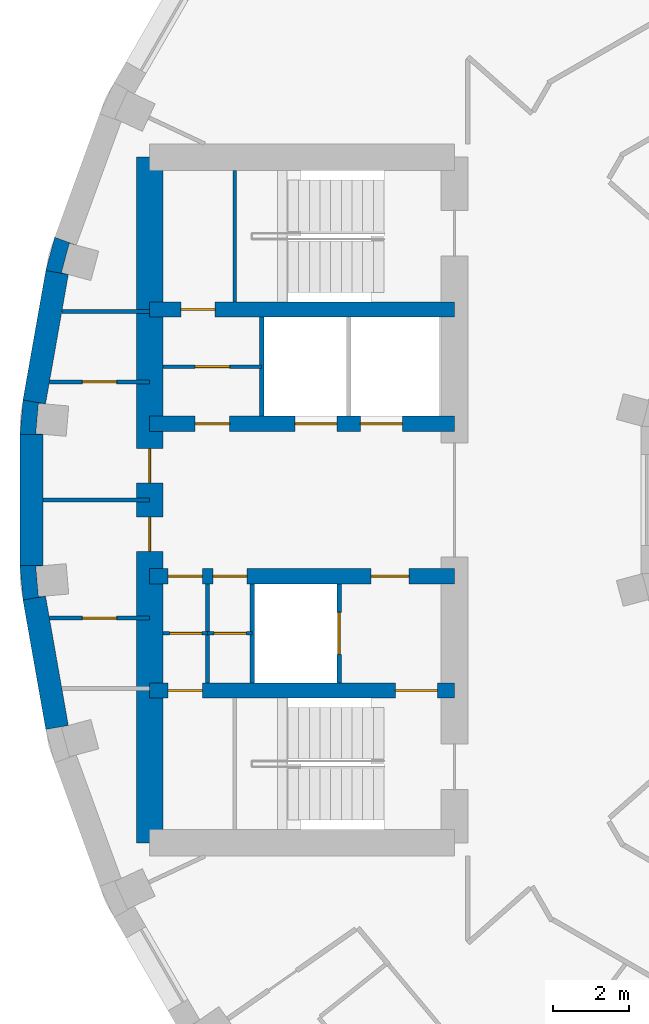
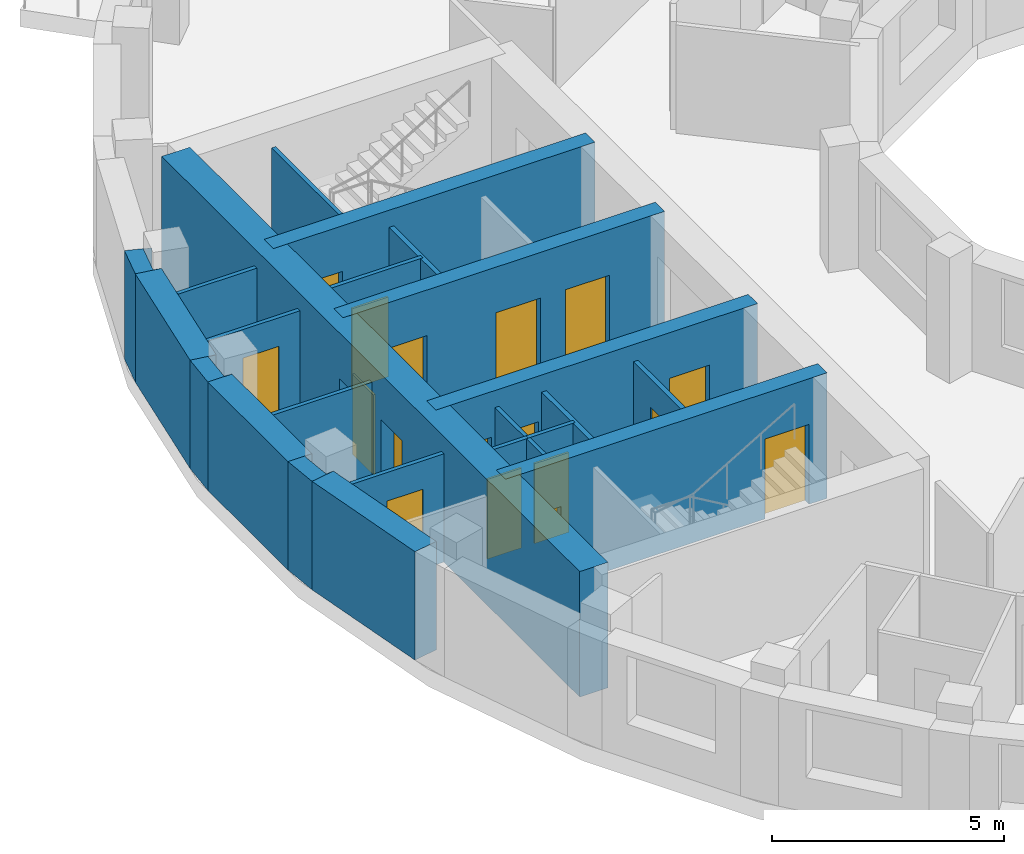
# One storey, part 6 of 14: 23 walls, 17 doors, 17 openings.
"""IFC4 building model written with IfcOpenShell, lengths in metres."""

from ifc_helpers import new_model, si_unit, direction, frame, frame_2d, origin, place, context, subcontext, project, spatial, polyline, rectangle, outline, extrude, material, layer, layer_set, type_object, element, fill, save


model = new_model("IFC4")

# Units and contexts
model_context = context("Model", 3, precision=1e-05, world=origin(), true_north=direction((0.0, 1.0)))
body_context = subcontext(model_context, "Body", "Model", "MODEL_VIEW")
ifc_project = project(units=[si_unit("LENGTHUNIT", "METRE"), si_unit("AREAUNIT", "SQUARE_METRE"), si_unit("VOLUMEUNIT", "CUBIC_METRE"), si_unit("PLANEANGLEUNIT", "RADIAN"), si_unit("MASSUNIT", "GRAM", prefix="KILO")], contexts=[model_context])

# Site, building, storey
site_placement = place(None, origin())
site = spatial("IfcSite", under=ifc_project, at=site_placement, CompositionType="ELEMENT")
building_placement = place(site_placement, origin())
building = spatial("IfcBuilding", under=site, at=building_placement, Name="Saqina Gate Tower", CompositionType="ELEMENT")
storey_placement = place(building_placement, frame((0.0, 0.0, 210.300048828125)))
storey = spatial("IfcBuildingStorey", under=building, at=storey_placement, Name="L60", CompositionType="ELEMENT", Elevation=210.300048828125)

# Walls
ifc_material_1 = material(Name="Brick masonry (buff)", Category="masonry")
wall_type_1 = type_object("IfcWallType", Name="BRICK PIER COPING BUFF", PredefinedType="SOLIDWALL", material=ifc_material_1)
wall_1_placement = place(storey_placement, origin())
element("IfcWall", 1, at=wall_1_placement, inside=storey, type_object=wall_type_1, Name="Pier cap L60 column 17", PredefinedType="SOLIDWALL", context=body_context, shape_type="SweptSolid", body=[
    extrude(outline(polyline([(-24.22705078125, 6.0234375), (-23.635986328125, 5.919189453125), (-23.81689453125, 5.967529296875), (-23.610107421875, 6.740478515625), (-23.428955078125, 6.69189453125), (-23.992919921875, 6.897216796875), (-24.22705078125, 6.0234375)])), origin(), (0.0, 0.0, 1.0), 2.849853515625),
])
wall_2_placement = place(storey_placement, origin())
element("IfcWall", 2, at=wall_2_placement, inside=storey, type_object=wall_type_1, Name="Pier cap L60 column 18", PredefinedType="SOLIDWALL", context=body_context, shape_type="SweptSolid", body=[
    extrude(outline(polyline([(-24.825927734375, 2.6259765625), (-24.90478515625, 1.724853515625), (-24.304931640625, 1.724853515625), (-24.491455078125, 1.7412109375), (-24.421630859375, 2.5380859375), (-24.235107421875, 2.521728515625), (-24.825927734375, 2.6259765625)])), origin(), (0.0, 0.0, 1.0), 2.849853515625),
])
wall_3_placement = place(storey_placement, origin())
element("IfcWall", 3, at=wall_3_placement, inside=storey, type_object=wall_type_1, Name="Pier cap L60 column 19", PredefinedType="SOLIDWALL", context=body_context, shape_type="SweptSolid", body=[
    extrude(outline(polyline([(-24.90478515625, -1.724853515625), (-24.825927734375, -2.6259765625), (-24.235107421875, -2.521728515625), (-24.421630859375, -2.5380859375), (-24.491455078125, -1.7412109375), (-24.304931640625, -1.724853515625), (-24.90478515625, -1.724853515625)])), origin(), (0.0, 0.0, 1.0), 2.849853515625),
])
ifc_material_2 = material(Name="Gypsum board on steel studs", Category="steel")
ifc_layer_1 = layer(ifc_material_2, 0.10009765625)
ifc_layer_set_1 = layer_set([ifc_layer_1], Name="CORE PARTITION")
wall_type_2 = type_object("IfcWallType", Name="CORE PARTITION", PredefinedType="PARTITIONING", material=ifc_layer_set_1)
wall_4_placement = place(storey_placement, frame((-21.5, 4.949951171875, 0.0), z_axis=(0.0, 0.0, 1.0), x_axis=(-1.0, 0.0, 0.0)))
element("IfcWall", 4, at=wall_4_placement, inside=storey, type_object=wall_type_2, Name="L60-CP-W01", PredefinedType="PARTITIONING", context=body_context, shape_type="SweptSolid", body=[
    extrude(rectangle(XDim=2.306884765625, YDim=0.10009765625, at=frame_2d((1.1533203125, 0.0))), origin(), (0.0, 0.0, 1.0), 2.849853515625),
])

# Wall, opening, door
wall_5_placement = place(storey_placement, frame((-21.5, 3.10009765625, 0.0), z_axis=(0.0, 0.0, 1.0), x_axis=(-1.0, 0.0, 0.0)))
wall_5 = element("IfcWall", 5, at=wall_5_placement, inside=storey, type_object=wall_type_2, Name="L60-CP-W02", PredefinedType="PARTITIONING", context=body_context, shape_type="SweptSolid", body=[
    extrude(rectangle(XDim=2.63330078125, YDim=0.10009765625, at=frame_2d((1.316650390625, 0.0))), origin(), (0.0, 0.0, 1.0), 2.849853515625),
])
opening_1_placement = place(wall_5_placement, frame((0.86669921875, 0.0, 0.0)))
opening_1 = element("IfcOpeningElement", 6, at=opening_1_placement, cuts=wall_5, Name="Opening G18-D111", PredefinedType="OPENING", context=body_context, shape_type="SweptSolid", body=[
    extrude(rectangle(XDim=0.89990234375, YDim=2.10009765625, at=frame_2d((0.449951171875, 1.050048828125))), frame((0.0, 0.06201171875, 0.0), z_axis=(0.0, -1.0, 0.0), x_axis=(1.0, 0.0, 0.0)), (0.0, 0.0, 1.0), 0.1240234375),
])
ifc_material_3 = material(Name="Steel-framed fire door leaf, EI 60", Category="steel")
door_type_1 = type_object("IfcDoorType", Name="SERVICE ROOM DOOR 900", OperationType="SINGLE_SWING_LEFT", PredefinedType="DOOR", material=ifc_material_3)
door_1_placement = place(opening_1_placement, origin())
door_1 = element("IfcDoor", 7, at=door_1_placement, inside=storey, type_object=door_type_1, Name="L60-CD-W22", OperationType="SINGLE_SWING_LEFT", OverallHeight=2.10009765625, OverallWidth=0.89990234375, PredefinedType="DOOR", context=body_context, shape_type="SweptSolid", body=[
    extrude(rectangle(XDim=0.89990234375, YDim=2.10009765625, at=frame_2d((0.449951171875, 1.050048828125))), frame((0.0, 0.02490234375, 0.0), z_axis=(0.0, -1.0, 0.0), x_axis=(1.0, 0.0, 0.0)), (0.0, 0.0, 1.0), 0.050048828125),
])
fill(opening_1, door_1)

wall_6_placement = place(storey_placement, frame((-21.5, -3.10009765625, 0.0), z_axis=(0.0, 0.0, 1.0), x_axis=(-1.0, 0.0, 0.0)))
wall_6 = element("IfcWall", 8, at=wall_6_placement, inside=storey, type_object=wall_type_2, Name="L60-CP-W04", PredefinedType="PARTITIONING", context=body_context, shape_type="SweptSolid", body=[
    extrude(rectangle(XDim=2.63330078125, YDim=0.10009765625, at=frame_2d((1.316650390625, 0.0))), origin(), (0.0, 0.0, 1.0), 2.849853515625),
])
opening_2_placement = place(wall_6_placement, frame((0.86669921875, 0.0, 0.0)))
opening_2 = element("IfcOpeningElement", 9, at=opening_2_placement, cuts=wall_6, Name="Opening G18-D113", PredefinedType="OPENING", context=body_context, shape_type="SweptSolid", body=[
    extrude(rectangle(XDim=0.89990234375, YDim=2.10009765625, at=frame_2d((0.449951171875, 1.050048828125))), frame((0.0, 0.06201171875, 0.0), z_axis=(0.0, -1.0, 0.0), x_axis=(1.0, 0.0, 0.0)), (0.0, 0.0, 1.0), 0.1240234375),
])
door_2_placement = place(opening_2_placement, frame((0.89990234375, 0.0, 0.0), z_axis=(0.0, 0.0, 1.0), x_axis=(-1.0, 0.0, 0.0)))
door_2 = element("IfcDoor", 10, at=door_2_placement, inside=storey, type_object=door_type_1, Name="L60-CD-W24", OperationType="SINGLE_SWING_RIGHT", OverallHeight=2.10009765625, OverallWidth=0.89990234375, PredefinedType="DOOR", context=body_context, shape_type="SweptSolid", body=[
    extrude(rectangle(XDim=0.89990234375, YDim=2.10009765625, at=frame_2d((0.449951171875, 1.050048828125))), frame((0.0, 0.02490234375, 0.0), z_axis=(0.0, -1.0, 0.0), x_axis=(1.0, 0.0, 0.0)), (0.0, 0.0, 1.0), 0.050048828125),
])
fill(opening_2, door_2)

# Walls
wall_7_placement = place(storey_placement, frame((-21.5, 0.0, 0.0), z_axis=(0.0, 0.0, 1.0), x_axis=(-1.0, 0.0, 0.0)))
element("IfcWall", 11, at=wall_7_placement, inside=storey, type_object=wall_type_2, Name="L60-CP-W05", PredefinedType="PARTITIONING", context=body_context, shape_type="SweptSolid", body=[
    extrude(rectangle(XDim=2.804931640625, YDim=0.10009765625, at=frame_2d((1.40234375, 0.0))), origin(), (0.0, 0.0, 1.0), 2.849853515625),
])
wall_8_placement = place(storey_placement, frame((-19.97998046875, -4.800048828125, 0.0), z_axis=(0.0, 0.0, 1.0), x_axis=(0.0, 1.0, 0.0)))
element("IfcWall", 12, at=wall_8_placement, inside=storey, type_object=wall_type_2, Name="L60-CP-W10", PredefinedType="PARTITIONING", context=body_context, shape_type="SweptSolid", body=[
    extrude(rectangle(XDim=2.60009765625, YDim=0.10009765625, at=frame_2d((1.300048828125, 0.0))), origin(), (0.0, 0.0, 1.0), 2.849853515625),
])

# Wall, opening, door
wall_9_placement = place(storey_placement, frame((-18.56005859375, 3.5, 0.0), z_axis=(0.0, 0.0, 1.0), x_axis=(-1.0, 0.0, 0.0)))
wall_9 = element("IfcWall", 13, at=wall_9_placement, inside=storey, type_object=wall_type_2, Name="L60-CP-W11", PredefinedType="PARTITIONING", context=body_context, shape_type="SweptSolid", body=[
    extrude(rectangle(XDim=2.58984375, YDim=0.10009765625, at=frame_2d((1.294921875, 0.0))), origin(), (0.0, 0.0, 1.0), 2.849853515625),
])
opening_3_placement = place(wall_9_placement, frame((0.844970703125, 0.0, 0.0)))
opening_3 = element("IfcOpeningElement", 14, at=opening_3_placement, cuts=wall_9, Name="Opening G18-D115", PredefinedType="OPENING", context=body_context, shape_type="SweptSolid", body=[
    extrude(rectangle(XDim=0.89990234375, YDim=2.10009765625, at=frame_2d((0.449951171875, 1.050048828125))), frame((0.0, 0.06201171875, 0.0), z_axis=(0.0, -1.0, 0.0), x_axis=(1.0, 0.0, 0.0)), (0.0, 0.0, 1.0), 0.1240234375),
])
door_3_placement = place(opening_3_placement, frame((0.89990234375, 0.0, 0.0), z_axis=(0.0, 0.0, 1.0), x_axis=(-1.0, 0.0, 0.0)))
door_3 = element("IfcDoor", 15, at=door_3_placement, inside=storey, type_object=door_type_1, Name="L60-CD-W26", OperationType="SINGLE_SWING_LEFT", OverallHeight=2.10009765625, OverallWidth=0.89990234375, PredefinedType="DOOR", context=body_context, shape_type="SweptSolid", body=[
    extrude(rectangle(XDim=0.89990234375, YDim=2.10009765625, at=frame_2d((0.449951171875, 1.050048828125))), frame((0.0, 0.02490234375, 0.0), z_axis=(0.0, -1.0, 0.0), x_axis=(1.0, 0.0, 0.0)), (0.0, 0.0, 1.0), 0.050048828125),
])
fill(opening_3, door_3)

wall_10_placement = place(storey_placement, frame((-18.81005859375, -3.5, 0.0), z_axis=(0.0, 0.0, 1.0), x_axis=(-1.0, 0.0, 0.0)))
wall_10 = element("IfcWall", 16, at=wall_10_placement, inside=storey, type_object=wall_type_2, Name="L60-CP-W12", PredefinedType="PARTITIONING", context=body_context, shape_type="SweptSolid", body=[
    extrude(rectangle(XDim=1.169921875, YDim=0.10009765625, at=frame_2d((0.5849609375, 0.0))), origin(), (0.0, 0.0, 1.0), 2.849853515625),
])
opening_4_placement = place(wall_10_placement, frame((0.14990234375, 0.0, 0.0)))
opening_4 = element("IfcOpeningElement", 17, at=opening_4_placement, cuts=wall_10, Name="Opening G18-D117", PredefinedType="OPENING", context=body_context, shape_type="SweptSolid", body=[
    extrude(rectangle(XDim=0.85009765625, YDim=2.10009765625, at=frame_2d((0.425048828125, 1.050048828125))), frame((0.0, 0.06201171875, 0.0), z_axis=(0.0, -1.0, 0.0), x_axis=(1.0, 0.0, 0.0)), (0.0, 0.0, 1.0), 0.1240234375),
])
ifc_material_4 = material(Name="Steel-framed fire door leaf, EI 60", Category="steel")
door_type_2 = type_object("IfcDoorType", Name="SERVICE ROOM DOOR 850", OperationType="SINGLE_SWING_LEFT", PredefinedType="DOOR", material=ifc_material_4)
door_4_placement = place(opening_4_placement, origin())
door_4 = element("IfcDoor", 18, at=door_4_placement, inside=storey, type_object=door_type_2, Name="L60-CD-W28", OperationType="SINGLE_SWING_LEFT", OverallHeight=2.10009765625, OverallWidth=0.85009765625, PredefinedType="DOOR", context=body_context, shape_type="SweptSolid", body=[
    extrude(rectangle(XDim=0.85009765625, YDim=2.10009765625, at=frame_2d((0.425048828125, 1.050048828125))), frame((0.0, 0.02490234375, 0.0), z_axis=(0.0, -1.0, 0.0), x_axis=(1.0, 0.0, 0.0)), (0.0, 0.0, 1.0), 0.050048828125),
])
fill(opening_4, door_4)

wall_11_placement = place(storey_placement, frame((-19.97998046875, -3.5, 0.0), z_axis=(0.0, 0.0, 1.0), x_axis=(-1.0, 0.0, 0.0)))
wall_11 = element("IfcWall", 19, at=wall_11_placement, inside=storey, type_object=wall_type_2, Name="L60-CP-W13", PredefinedType="PARTITIONING", context=body_context, shape_type="SweptSolid", body=[
    extrude(rectangle(XDim=1.169921875, YDim=0.10009765625, at=frame_2d((0.5849609375, 0.0))), origin(), (0.0, 0.0, 1.0), 2.849853515625),
])
opening_5_placement = place(wall_11_placement, frame((0.14990234375, 0.0, 0.0)))
opening_5 = element("IfcOpeningElement", 20, at=opening_5_placement, cuts=wall_11, Name="Opening G18-D118", PredefinedType="OPENING", context=body_context, shape_type="SweptSolid", body=[
    extrude(rectangle(XDim=0.85009765625, YDim=2.10009765625, at=frame_2d((0.425048828125, 1.050048828125))), frame((0.0, 0.06201171875, 0.0), z_axis=(0.0, -1.0, 0.0), x_axis=(1.0, 0.0, 0.0)), (0.0, 0.0, 1.0), 0.1240234375),
])
door_5_placement = place(opening_5_placement, origin())
door_5 = element("IfcDoor", 21, at=door_5_placement, inside=storey, type_object=door_type_2, Name="L60-CD-W29", OperationType="SINGLE_SWING_RIGHT", OverallHeight=2.10009765625, OverallWidth=0.85009765625, PredefinedType="DOOR", context=body_context, shape_type="SweptSolid", body=[
    extrude(rectangle(XDim=0.85009765625, YDim=2.10009765625, at=frame_2d((0.425048828125, 1.050048828125))), frame((0.0, 0.02490234375, 0.0), z_axis=(0.0, -1.0, 0.0), x_axis=(1.0, 0.0, 0.0)), (0.0, 0.0, 1.0), 0.050048828125),
])
fill(opening_5, door_5)

# Walls
ifc_material_5 = material(Name="Glazed ceramic tile", Category="ceramic")
ifc_layer_2 = layer(ifc_material_5, 0.60009765625)
ifc_layer_set_2 = layer_set([ifc_layer_2], Name="FW-TILE")
wall_type_3 = type_object("IfcWallType", Name="FW-TILE", PredefinedType="SOLIDWALL", material=ifc_layer_set_2)
for number, where, z_axis, x_axis, name in (
    (22, (-23.931640625, 5.97119140625, 0.0), (0.0, 0.0, 1.0), (-0.173607684551, -0.984814892183, 0.0), "Facade wall L60 facet 17"),
    (23, (-24.530517578125, -2.573974609375, 0.0), (0.0, 0.0, 1.0), (0.173607684551, -0.984814892183, 0.0), "Facade wall L60 facet 19"),
):
    element("IfcWall", number, at=place(storey_placement, frame(where, z_axis=z_axis, x_axis=x_axis)), inside=storey, type_object=wall_type_3, Name=name, PredefinedType="SOLIDWALL", context=body_context, shape_type="SweptSolid", body=[
        extrude(rectangle(XDim=3.44970703125, YDim=0.60009765625, at=frame_2d((1.724853515625, 0.0))), origin(), (0.0, 0.0, 1.0), 2.849853515625),
    ])
ifc_material_6 = material(Name="Glazed ceramic tile (dark blue)", Category="ceramic")
ifc_layer_3 = layer(ifc_material_6, 0.60009765625)
ifc_layer_set_3 = layer_set([ifc_layer_3], Name="FW-TILE-CB")
wall_type_4 = type_object("IfcWallType", Name="FW-TILE-CB", PredefinedType="SOLIDWALL", material=ifc_layer_set_3)
wall_12_placement = place(storey_placement, frame((-24.60498046875, 1.724853515625, 0.0), z_axis=(0.0, 0.0, 1.0), x_axis=(0.0, -1.0, 0.0)))
element("IfcWall", 24, at=wall_12_placement, inside=storey, type_object=wall_type_4, Name="Facade wall L60 facet 18", PredefinedType="SOLIDWALL", context=body_context, shape_type="SweptSolid", body=[
    extrude(rectangle(XDim=3.44970703125, YDim=0.60009765625, at=frame_2d((1.724853515625, 0.0))), origin(), (0.0, 0.0, 1.0), 2.849853515625),
])
ifc_material_7 = material(Name="Autoclaved aerated concrete block", Category="concrete")
ifc_layer_4 = layer(ifc_material_7, 0.1201171875)
ifc_layer_set_4 = layer_set([ifc_layer_4], Name="SHAFT PARTITION")
wall_type_5 = type_object("IfcWallType", Name="SHAFT PARTITION", PredefinedType="PARTITIONING", material=ifc_layer_set_4)
wall_13_placement = place(storey_placement, frame((-18.56005859375, 2.199951171875, 0.0), z_axis=(0.0, 0.0, 1.0), x_axis=(0.0, 1.0, 0.0)))
element("IfcWall", 25, at=wall_13_placement, inside=storey, type_object=wall_type_5, Name="L60-CP-W07", PredefinedType="PARTITIONING", context=body_context, shape_type="SweptSolid", body=[
    extrude(rectangle(XDim=2.60009765625, YDim=0.1201171875, at=frame_2d((1.300048828125, 0.0))), origin(), (0.0, 0.0, 1.0), 2.849853515625),
])

# Wall, opening, door
wall_14_placement = place(storey_placement, frame((-16.530029296875, -4.800048828125, 0.0), z_axis=(0.0, 0.0, 1.0), x_axis=(0.0, 1.0, 0.0)))
wall_14 = element("IfcWall", 26, at=wall_14_placement, inside=storey, type_object=wall_type_5, Name="L60-CP-W08", PredefinedType="PARTITIONING", context=body_context, shape_type="SweptSolid", body=[
    extrude(rectangle(XDim=2.60009765625, YDim=0.1201171875, at=frame_2d((1.300048828125, 0.0))), origin(), (0.0, 0.0, 1.0), 2.849853515625),
])
opening_6_placement = place(wall_14_placement, frame((0.75, 0.0, 0.0)))
opening_6 = element("IfcOpeningElement", 27, at=opening_6_placement, cuts=wall_14, Name="Opening G18-LD6", PredefinedType="OPENING", context=body_context, shape_type="SweptSolid", body=[
    extrude(rectangle(XDim=1.10009765625, YDim=2.10009765625, at=frame_2d((0.550048828125, 1.050048828125))), frame((0.0, 0.072021484375, 0.0), z_axis=(0.0, -1.0, 0.0), x_axis=(1.0, 0.0, 0.0)), (0.0, 0.0, 1.0), 0.14404296875),
])
ifc_material_8 = material(Name="Stainless steel", Category="steel")
door_type_3 = type_object("IfcDoorType", Name="LANDING DOOR", OperationType="DOUBLE_DOOR_SLIDING", PredefinedType="DOOR", material=ifc_material_8)
door_6_placement = place(opening_6_placement, origin())
door_6 = element("IfcDoor", 28, at=door_6_placement, inside=storey, type_object=door_type_3, Name="LANDING DOOR FF2", OperationType="DOUBLE_DOOR_SLIDING", OverallHeight=2.10009765625, OverallWidth=1.10009765625, PredefinedType="DOOR", context=body_context, shape_type="SweptSolid", body=[
    extrude(rectangle(XDim=1.10009765625, YDim=2.10009765625, at=frame_2d((0.550048828125, 1.050048828125))), frame((0.0, 0.02490234375, 0.0), z_axis=(0.0, -1.0, 0.0), x_axis=(1.0, 0.0, 0.0)), (0.0, 0.0, 1.0), 0.050048828125),
])
fill(opening_6, door_6)

# Walls
wall_15_placement = place(storey_placement, frame((-18.81005859375, -4.800048828125, 0.0), z_axis=(0.0, 0.0, 1.0), x_axis=(0.0, 1.0, 0.0)))
element("IfcWall", 29, at=wall_15_placement, inside=storey, type_object=wall_type_5, Name="L60-CP-W09", PredefinedType="PARTITIONING", context=body_context, shape_type="SweptSolid", body=[
    extrude(rectangle(XDim=2.60009765625, YDim=0.1201171875, at=frame_2d((1.300048828125, 0.0))), origin(), (0.0, 0.0, 1.0), 2.849853515625),
])
ifc_material_9 = material(Name="Autoclaved aerated concrete block", Category="concrete")
ifc_layer_5 = layer(ifc_material_9, 0.10009765625)
ifc_layer_set_5 = layer_set([ifc_layer_5], Name="STAIR ENCLOSURE WALL")
wall_type_6 = type_object("IfcWallType", Name="STAIR ENCLOSURE WALL", PredefinedType="PARTITIONING", material=ifc_layer_set_5)
wall_16_placement = place(storey_placement, frame((-19.27001953125, 5.199951171875, 0.0), z_axis=(0.0, 0.0, 1.0), x_axis=(0.0, 1.0, 0.0)))
element("IfcWall", 30, at=wall_16_placement, inside=storey, type_object=wall_type_6, Name="L60-CP-W14", PredefinedType="PARTITIONING", context=body_context, shape_type="SweptSolid", body=[
    extrude(rectangle(XDim=3.449951171875, YDim=0.10009765625, at=frame_2d((1.72509765625, 0.0))), origin(), (0.0, 0.0, 1.0), 2.849853515625),
])

# Wall, opening, door
ifc_material_10 = material(Name="Concrete C60/75", Category="concrete")
ifc_layer_6 = layer(ifc_material_10, 0.39990234375)
ifc_layer_set_6 = layer_set([ifc_layer_6], Name="Concrete C60/75")
wall_type_7 = type_object("IfcWallType", Name="STR-CORE WALL-C-I", PredefinedType="SHEAR", material=ifc_layer_set_6)
wall_17_placement = place(storey_placement, frame((-13.5, 5.0, 0.0), z_axis=(0.0, 0.0, 1.0), x_axis=(-1.0, 0.0, 0.0)))
wall_17 = element("IfcWall", 31, at=wall_17_placement, inside=storey, type_object=wall_type_7, Name="CORE WALL L60 W-X1", PredefinedType="SHEAR", context=body_context, shape_type="SweptSolid", body=[
    extrude(rectangle(XDim=8.0, YDim=0.39990234375, at=frame_2d((4.0, 0.0))), origin(), (0.0, 0.0, 1.0), 3.300048828125),
])
opening_7_placement = place(wall_17_placement, frame((6.284912109375, 0.0, 0.0)))
opening_7 = element("IfcOpeningElement", 32, at=opening_7_placement, cuts=wall_17, Name="Opening G18-D116", PredefinedType="OPENING", context=body_context, shape_type="SweptSolid", body=[
    extrude(rectangle(XDim=0.89990234375, YDim=2.10009765625, at=frame_2d((0.449951171875, 1.050048828125))), frame((0.0, 0.2119140625, 0.0), z_axis=(0.0, -1.0, 0.0), x_axis=(1.0, 0.0, 0.0)), (0.0, 0.0, 1.0), 0.423828125),
])
door_7_placement = place(opening_7_placement, frame((0.89990234375, 0.0, 0.0), z_axis=(0.0, 0.0, 1.0), x_axis=(-1.0, 0.0, 0.0)))
door_7 = element("IfcDoor", 33, at=door_7_placement, inside=storey, type_object=door_type_1, Name="L60-CD-W27", OperationType="SINGLE_SWING_LEFT", OverallHeight=2.10009765625, OverallWidth=0.89990234375, PredefinedType="DOOR", context=body_context, shape_type="SweptSolid", body=[
    extrude(rectangle(XDim=0.89990234375, YDim=2.10009765625, at=frame_2d((0.449951171875, 1.050048828125))), frame((0.0, 0.02490234375, 0.0), z_axis=(0.0, -1.0, 0.0), x_axis=(1.0, 0.0, 0.0)), (0.0, 0.0, 1.0), 0.050048828125),
])
fill(opening_7, door_7)

# Wall, openings, doors
wall_18_placement = place(storey_placement, frame((-13.5, -5.0, 0.0), z_axis=(0.0, 0.0, 1.0), x_axis=(-1.0, 0.0, 0.0)))
wall_18 = element("IfcWall", 34, at=wall_18_placement, inside=storey, type_object=wall_type_7, Name="CORE WALL L60 W-X2", PredefinedType="SHEAR", context=body_context, shape_type="SweptSolid", body=[
    extrude(rectangle(XDim=8.0, YDim=0.39990234375, at=frame_2d((4.0, 0.0))), origin(), (0.0, 0.0, 1.0), 3.300048828125),
])
opening_8_placement = place(wall_18_placement, frame((6.614990234375, 0.0, 0.0)))
opening_8 = element("IfcOpeningElement", 35, at=opening_8_placement, cuts=wall_18, Name="Opening G18-D119", PredefinedType="OPENING", context=body_context, shape_type="SweptSolid", body=[
    extrude(rectangle(XDim=0.89990234375, YDim=2.10009765625, at=frame_2d((0.449951171875, 1.050048828125))), frame((0.0, 0.2119140625, 0.0), z_axis=(0.0, -1.0, 0.0), x_axis=(1.0, 0.0, 0.0)), (0.0, 0.0, 1.0), 0.423828125),
])
opening_9_placement = place(wall_18_placement, frame((0.449951171875, 0.0, 0.0)))
opening_9 = element("IfcOpeningElement", 36, at=opening_9_placement, cuts=wall_18, Name="Opening G18-D120", PredefinedType="OPENING", context=body_context, shape_type="SweptSolid", body=[
    extrude(rectangle(XDim=1.10009765625, YDim=2.10009765625, at=frame_2d((0.550048828125, 1.050048828125))), frame((0.0, 0.2119140625, 0.0), z_axis=(0.0, -1.0, 0.0), x_axis=(1.0, 0.0, 0.0)), (0.0, 0.0, 1.0), 0.423828125),
])
ifc_material_11 = material(Name="Steel", Category="steel")
door_type_4 = type_object("IfcDoorType", Name="FIRE LOBBY DOOR EI 60 WIDE", OperationType="SINGLE_SWING_LEFT", PredefinedType="DOOR", material=ifc_material_11)
door_8_placement = place(opening_9_placement, origin())
door_8 = element("IfcDoor", 37, at=door_8_placement, inside=storey, type_object=door_type_4, Name="L60-CD-W31", OperationType="SINGLE_SWING_LEFT", OverallHeight=2.10009765625, OverallWidth=1.10009765625, PredefinedType="DOOR", context=body_context, shape_type="SweptSolid", body=[
    extrude(rectangle(XDim=1.10009765625, YDim=2.10009765625, at=frame_2d((0.550048828125, 1.050048828125))), frame((0.0, 0.02490234375, 0.0), z_axis=(0.0, -1.0, 0.0), x_axis=(1.0, 0.0, 0.0)), (0.0, 0.0, 1.0), 0.050048828125),
])
fill(opening_9, door_8)
door_9_placement = place(opening_8_placement, origin())
door_9 = element("IfcDoor", 38, at=door_9_placement, inside=storey, type_object=door_type_1, Name="L60-CD-W30", OperationType="SINGLE_SWING_RIGHT", OverallHeight=2.10009765625, OverallWidth=0.89990234375, PredefinedType="DOOR", context=body_context, shape_type="SweptSolid", body=[
    extrude(rectangle(XDim=0.89990234375, YDim=2.10009765625, at=frame_2d((0.449951171875, 1.050048828125))), frame((0.0, 0.02490234375, 0.0), z_axis=(0.0, -1.0, 0.0), x_axis=(1.0, 0.0, 0.0)), (0.0, 0.0, 1.0), 0.050048828125),
])
fill(opening_8, door_9)

wall_19_placement = place(storey_placement, frame((-13.5, 2.0, 0.0), z_axis=(0.0, 0.0, 1.0), x_axis=(-1.0, 0.0, 0.0)))
wall_19 = element("IfcWall", 39, at=wall_19_placement, inside=storey, type_object=wall_type_7, Name="CORE WALL L60 W-L1", PredefinedType="SHEAR", context=body_context, shape_type="SweptSolid", body=[
    extrude(rectangle(XDim=8.0, YDim=0.39990234375, at=frame_2d((4.0, 0.0))), origin(), (0.0, 0.0, 1.0), 3.300048828125),
])
opening_10_placement = place(wall_19_placement, frame((1.3701171875, 0.0, 0.0)))
opening_10 = element("IfcOpeningElement", 40, at=opening_10_placement, cuts=wall_19, Name="Opening G18-LD4", PredefinedType="OPENING", context=body_context, shape_type="SweptSolid", body=[
    extrude(rectangle(XDim=1.10009765625, YDim=2.10009765625, at=frame_2d((0.550048828125, 1.050048828125))), frame((0.0, 0.2119140625, 0.0), z_axis=(0.0, -1.0, 0.0), x_axis=(1.0, 0.0, 0.0)), (0.0, 0.0, 1.0), 0.423828125),
])
opening_11_placement = place(wall_19_placement, frame((3.090087890625, 0.0, 0.0)))
opening_11 = element("IfcOpeningElement", 41, at=opening_11_placement, cuts=wall_19, Name="Opening G18-LD5", PredefinedType="OPENING", context=body_context, shape_type="SweptSolid", body=[
    extrude(rectangle(XDim=1.10009765625, YDim=2.10009765625, at=frame_2d((0.550048828125, 1.050048828125))), frame((0.0, 0.2119140625, 0.0), z_axis=(0.0, -1.0, 0.0), x_axis=(1.0, 0.0, 0.0)), (0.0, 0.0, 1.0), 0.423828125),
])
opening_12_placement = place(wall_19_placement, frame((5.905029296875, 0.0, 0.0)))
opening_12 = element("IfcOpeningElement", 42, at=opening_12_placement, cuts=wall_19, Name="Opening G18-D107", PredefinedType="OPENING", context=body_context, shape_type="SweptSolid", body=[
    extrude(rectangle(XDim=0.89990234375, YDim=2.10009765625, at=frame_2d((0.449951171875, 1.050048828125))), frame((0.0, 0.2119140625, 0.0), z_axis=(0.0, -1.0, 0.0), x_axis=(1.0, 0.0, 0.0)), (0.0, 0.0, 1.0), 0.423828125),
])
door_10_placement = place(opening_10_placement, origin())
door_10 = element("IfcDoor", 43, at=door_10_placement, inside=storey, type_object=door_type_3, Name="LANDING DOOR HR3", OperationType="DOUBLE_DOOR_SLIDING", OverallHeight=2.10009765625, OverallWidth=1.10009765625, PredefinedType="DOOR", context=body_context, shape_type="SweptSolid", body=[
    extrude(rectangle(XDim=1.10009765625, YDim=2.10009765625, at=frame_2d((0.550048828125, 1.050048828125))), frame((0.0, 0.02490234375, 0.0), z_axis=(0.0, -1.0, 0.0), x_axis=(1.0, 0.0, 0.0)), (0.0, 0.0, 1.0), 0.050048828125),
])
fill(opening_10, door_10)
door_11_placement = place(opening_11_placement, origin())
door_11 = element("IfcDoor", 44, at=door_11_placement, inside=storey, type_object=door_type_3, Name="LANDING DOOR HR4", OperationType="DOUBLE_DOOR_SLIDING", OverallHeight=2.10009765625, OverallWidth=1.10009765625, PredefinedType="DOOR", context=body_context, shape_type="SweptSolid", body=[
    extrude(rectangle(XDim=1.10009765625, YDim=2.10009765625, at=frame_2d((0.550048828125, 1.050048828125))), frame((0.0, 0.02490234375, 0.0), z_axis=(0.0, -1.0, 0.0), x_axis=(1.0, 0.0, 0.0)), (0.0, 0.0, 1.0), 0.050048828125),
])
fill(opening_11, door_11)
door_12_placement = place(opening_12_placement, frame((0.89990234375, 0.0, 0.0), z_axis=(0.0, 0.0, 1.0), x_axis=(-1.0, 0.0, 0.0)))
door_12 = element("IfcDoor", 45, at=door_12_placement, inside=storey, type_object=door_type_1, Name="L60-CD-W18", OperationType="SINGLE_SWING_LEFT", OverallHeight=2.10009765625, OverallWidth=0.89990234375, PredefinedType="DOOR", context=body_context, shape_type="SweptSolid", body=[
    extrude(rectangle(XDim=0.89990234375, YDim=2.10009765625, at=frame_2d((0.449951171875, 1.050048828125))), frame((0.0, 0.02490234375, 0.0), z_axis=(0.0, -1.0, 0.0), x_axis=(1.0, 0.0, 0.0)), (0.0, 0.0, 1.0), 0.050048828125),
])
fill(opening_12, door_12)

wall_20_placement = place(storey_placement, frame((-13.5, -2.0, 0.0), z_axis=(0.0, 0.0, 1.0), x_axis=(-1.0, 0.0, 0.0)))
wall_20 = element("IfcWall", 46, at=wall_20_placement, inside=storey, type_object=wall_type_7, Name="CORE WALL L60 W-L2", PredefinedType="SHEAR", context=body_context, shape_type="SweptSolid", body=[
    extrude(rectangle(XDim=8.0, YDim=0.39990234375, at=frame_2d((4.0, 0.0))), origin(), (0.0, 0.0, 1.0), 3.300048828125),
])
opening_13_placement = place(wall_20_placement, frame((1.18994140625, 0.0, 0.0)))
opening_13 = element("IfcOpeningElement", 47, at=opening_13_placement, cuts=wall_20, Name="Opening G18-D108", PredefinedType="OPENING", context=body_context, shape_type="SweptSolid", body=[
    extrude(rectangle(XDim=1.0, YDim=2.10009765625, at=frame_2d((0.5, 1.050048828125))), frame((0.0, 0.2119140625, 0.0), z_axis=(0.0, -1.0, 0.0), x_axis=(1.0, 0.0, 0.0)), (0.0, 0.0, 1.0), 0.423828125),
])
opening_14_placement = place(wall_20_placement, frame((5.445068359375, 0.0, 0.0)))
opening_14 = element("IfcOpeningElement", 48, at=opening_14_placement, cuts=wall_20, Name="Opening G18-D109", PredefinedType="OPENING", context=body_context, shape_type="SweptSolid", body=[
    extrude(rectangle(XDim=0.89990234375, YDim=2.10009765625, at=frame_2d((0.449951171875, 1.050048828125))), frame((0.0, 0.2119140625, 0.0), z_axis=(0.0, -1.0, 0.0), x_axis=(1.0, 0.0, 0.0)), (0.0, 0.0, 1.0), 0.423828125),
])
opening_15_placement = place(wall_20_placement, frame((6.614990234375, 0.0, 0.0)))
opening_15 = element("IfcOpeningElement", 49, at=opening_15_placement, cuts=wall_20, Name="Opening G18-D110", PredefinedType="OPENING", context=body_context, shape_type="SweptSolid", body=[
    extrude(rectangle(XDim=0.89990234375, YDim=2.10009765625, at=frame_2d((0.449951171875, 1.050048828125))), frame((0.0, 0.2119140625, 0.0), z_axis=(0.0, -1.0, 0.0), x_axis=(1.0, 0.0, 0.0)), (0.0, 0.0, 1.0), 0.423828125),
])
ifc_material_12 = material(Name="Steel", Category="steel")
door_type_5 = type_object("IfcDoorType", Name="FIRE LOBBY DOOR EI 60", OperationType="SINGLE_SWING_LEFT", PredefinedType="DOOR", material=ifc_material_12)
door_13_placement = place(opening_13_placement, frame((1.0, 0.0, 0.0), z_axis=(0.0, 0.0, 1.0), x_axis=(-1.0, 0.0, 0.0)))
door_13 = element("IfcDoor", 50, at=door_13_placement, inside=storey, type_object=door_type_5, Name="L60-CD-W19", OperationType="SINGLE_SWING_RIGHT", OverallHeight=2.10009765625, OverallWidth=1.0, PredefinedType="DOOR", context=body_context, shape_type="SweptSolid", body=[
    extrude(rectangle(XDim=1.0, YDim=2.10009765625, at=frame_2d((0.5, 1.050048828125))), frame((0.0, 0.02490234375, 0.0), z_axis=(0.0, -1.0, 0.0), x_axis=(1.0, 0.0, 0.0)), (0.0, 0.0, 1.0), 0.050048828125),
])
fill(opening_13, door_13)
door_14_placement = place(opening_14_placement, origin())
door_14 = element("IfcDoor", 51, at=door_14_placement, inside=storey, type_object=door_type_1, Name="L60-CD-W20", OperationType="SINGLE_SWING_LEFT", OverallHeight=2.10009765625, OverallWidth=0.89990234375, PredefinedType="DOOR", context=body_context, shape_type="SweptSolid", body=[
    extrude(rectangle(XDim=0.89990234375, YDim=2.10009765625, at=frame_2d((0.449951171875, 1.050048828125))), frame((0.0, 0.02490234375, 0.0), z_axis=(0.0, -1.0, 0.0), x_axis=(1.0, 0.0, 0.0)), (0.0, 0.0, 1.0), 0.050048828125),
])
fill(opening_14, door_14)
door_15_placement = place(opening_15_placement, origin())
door_15 = element("IfcDoor", 52, at=door_15_placement, inside=storey, type_object=door_type_1, Name="L60-CD-W21", OperationType="SINGLE_SWING_RIGHT", OverallHeight=2.10009765625, OverallWidth=0.89990234375, PredefinedType="DOOR", context=body_context, shape_type="SweptSolid", body=[
    extrude(rectangle(XDim=0.89990234375, YDim=2.10009765625, at=frame_2d((0.449951171875, 1.050048828125))), frame((0.0, 0.02490234375, 0.0), z_axis=(0.0, -1.0, 0.0), x_axis=(1.0, 0.0, 0.0)), (0.0, 0.0, 1.0), 0.050048828125),
])
fill(opening_15, door_15)

ifc_material_13 = material(Name="Concrete C60/75", Category="concrete")
ifc_layer_7 = layer(ifc_material_13, 0.699951171875)
ifc_layer_set_7 = layer_set([ifc_layer_7], Name="Concrete C60/75")
wall_type_8 = type_object("IfcWallType", Name="STR-CORE WALL-C-O", PredefinedType="SHEAR", material=ifc_layer_set_7)
wall_21_placement = place(storey_placement, frame((-21.5, -9.0, 0.0), z_axis=(0.0, 0.0, 1.0), x_axis=(0.0, 1.0, 0.0)))
wall_21 = element("IfcWall", 53, at=wall_21_placement, inside=storey, type_object=wall_type_8, Name="CORE WALL L60 W-W2", PredefinedType="SHEAR", context=body_context, shape_type="SweptSolid", body=[
    extrude(rectangle(XDim=18.0, YDim=0.699951171875, at=frame_2d((9.0, 0.0))), origin(), (0.0, 0.0, 1.0), 3.300048828125),
])
opening_16_placement = place(wall_21_placement, frame((9.449951171875, 0.0, 0.0)))
opening_16 = element("IfcOpeningElement", 54, at=opening_16_placement, cuts=wall_21, Name="Opening G18-D112", PredefinedType="OPENING", context=body_context, shape_type="SweptSolid", body=[
    extrude(rectangle(XDim=0.89990234375, YDim=2.10009765625, at=frame_2d((0.449951171875, 1.050048828125))), frame((0.0, 0.362060546875, 0.0), z_axis=(0.0, -1.0, 0.0), x_axis=(1.0, 0.0, 0.0)), (0.0, 0.0, 1.0), 0.723876953125),
])
opening_17_placement = place(wall_21_placement, frame((7.64990234375, 0.0, 0.0)))
opening_17 = element("IfcOpeningElement", 55, at=opening_17_placement, cuts=wall_21, Name="Opening G18-D114", PredefinedType="OPENING", context=body_context, shape_type="SweptSolid", body=[
    extrude(rectangle(XDim=0.89990234375, YDim=2.10009765625, at=frame_2d((0.449951171875, 1.050048828125))), frame((0.0, 0.362060546875, 0.0), z_axis=(0.0, -1.0, 0.0), x_axis=(1.0, 0.0, 0.0)), (0.0, 0.0, 1.0), 0.723876953125),
])
door_16_placement = place(opening_16_placement, origin())
door_16 = element("IfcDoor", 56, at=door_16_placement, inside=storey, type_object=door_type_1, Name="L60-CD-W23", OperationType="SINGLE_SWING_LEFT", OverallHeight=2.10009765625, OverallWidth=0.89990234375, PredefinedType="DOOR", context=body_context, shape_type="SweptSolid", body=[
    extrude(rectangle(XDim=0.89990234375, YDim=2.10009765625, at=frame_2d((0.449951171875, 1.050048828125))), frame((0.0, 0.02490234375, 0.0), z_axis=(0.0, -1.0, 0.0), x_axis=(1.0, 0.0, 0.0)), (0.0, 0.0, 1.0), 0.050048828125),
])
fill(opening_16, door_16)
door_17_placement = place(opening_17_placement, origin())
door_17 = element("IfcDoor", 57, at=door_17_placement, inside=storey, type_object=door_type_1, Name="L60-CD-W25", OperationType="SINGLE_SWING_RIGHT", OverallHeight=2.10009765625, OverallWidth=0.89990234375, PredefinedType="DOOR", context=body_context, shape_type="SweptSolid", body=[
    extrude(rectangle(XDim=0.89990234375, YDim=2.10009765625, at=frame_2d((0.449951171875, 1.050048828125))), frame((0.0, 0.02490234375, 0.0), z_axis=(0.0, -1.0, 0.0), x_axis=(1.0, 0.0, 0.0)), (0.0, 0.0, 1.0), 0.050048828125),
])
fill(opening_17, door_17)

save(model, "model.ifc")
